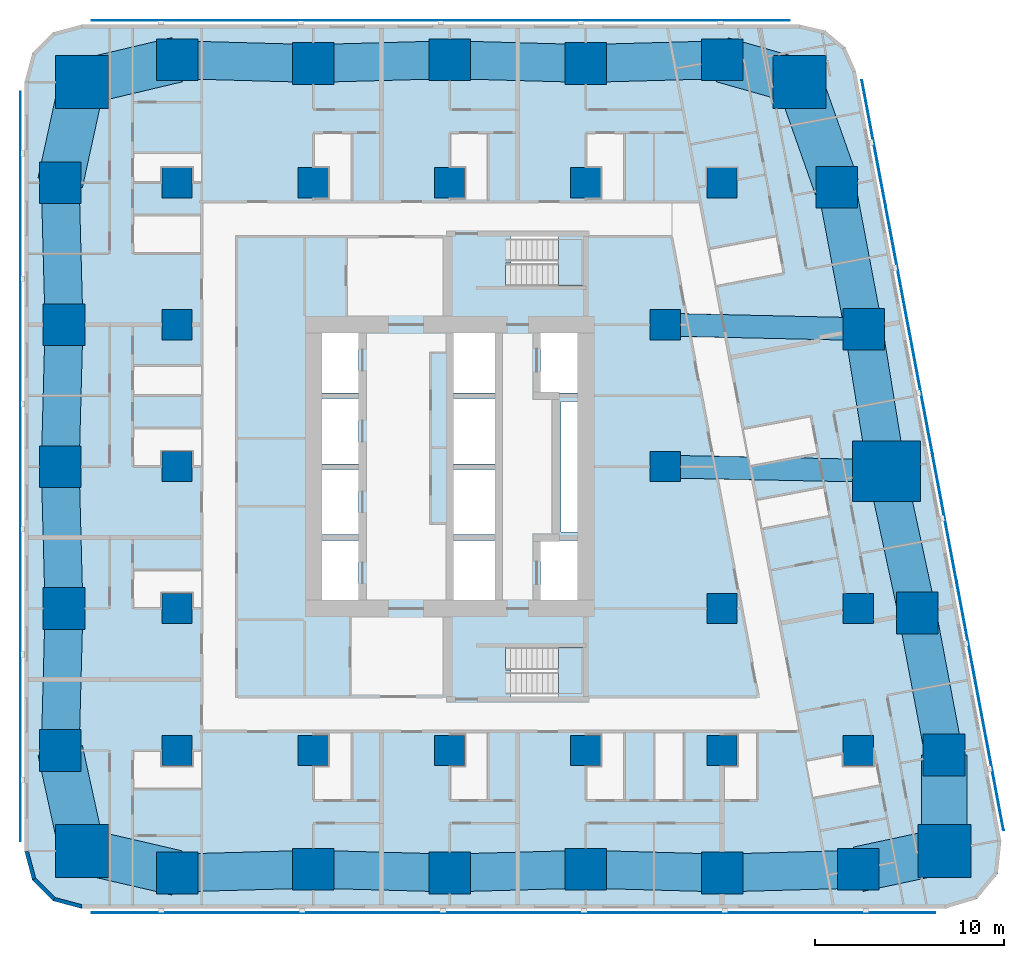
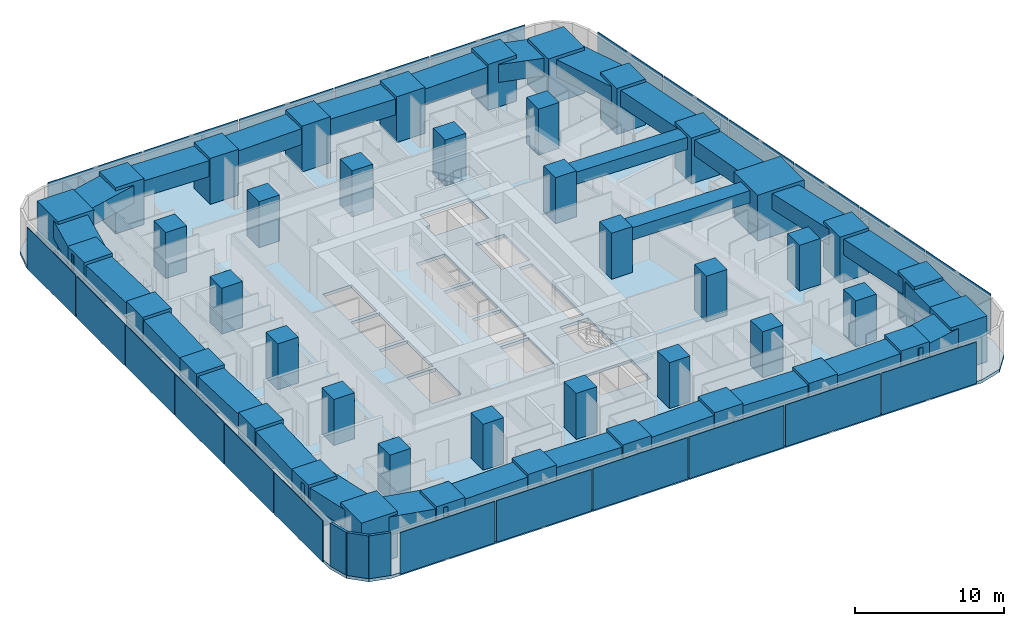
# One storey, part 1 of 16: 43 columns, 27 beams, 23 plates, 3 slabs, 3 walls, 2 elements without a shape of their own.
"""IFC4 building model written with IfcOpenShell, lengths in metres."""

import ifcopenshell
import ifcopenshell.guid

model = None  # the IFC model being written
_history = None  # IfcOwnerHistory: only IFC2X3 demands one
_inside = {}  # id of a spatial element -> (the spatial element, [elements in it])
_under = {}  # id of a project, library or spatial element -> (it, [spatial elements below it])
_declared = {}  # id of a project -> (the project, [libraries it declares])
_typed = {}  # id of a type object -> (the type object, [elements of that type])
_made_of = {}  # id of a material, layer set ... -> (it, [elements and type objects made of it])


def new_model(schema):
    """Start an empty IFC model of exactly this schema.

    Asked for "IFC4X3", IfcOpenShell would pick the latest addendum, in which some entities
    have other attributes; the version numbers below select the first issue.
    IFC2X3 requires an IfcOwnerHistory on every rooted entity: one is made here for all.
    """
    global model, _history
    if schema == "IFC4X3":
        model = ifcopenshell.file(schema_version=(4, 3, 0, 0))
    else:
        model = ifcopenshell.file(schema=schema)
    _inside.clear()
    _under.clear()
    _declared.clear()
    _typed.clear()
    _made_of.clear()
    _history = None
    if model.schema == "IFC2X3":
        org = make("IfcOrganization", Name="unknown")
        user = make(
            "IfcPersonAndOrganization",
            ThePerson=make("IfcPerson", FamilyName="unknown"),
            TheOrganization=org,
        )
        app = make(
            "IfcApplication",
            ApplicationDeveloper=org,
            Version="unknown",
            ApplicationFullName="unknown",
            ApplicationIdentifier="unknown",
        )
        _history = make(
            "IfcOwnerHistory",
            OwningUser=user,
            OwningApplication=app,
            ChangeAction="ADDED",
            CreationDate=0,
        )
    return model


def make(cls, **values):
    """One entity of the class cls with the attributes given. An attribute that is None is left unset."""
    return model.create_entity(
        cls, **{name: value for name, value in values.items() if value is not None}
    )


def rooted(cls, **values):
    """An entity with a GlobalId (a new one), such as an element, a storey or a relation."""
    return make(cls, GlobalId=ifcopenshell.guid.new(), OwnerHistory=_history, **values)


def si_unit(unit_type, name, prefix=None):
    """IfcSIUnit, for example si_unit("LENGTHUNIT", "METRE", prefix="MILLI")."""
    return make("IfcSIUnit", UnitType=unit_type, Prefix=prefix, Name=name)


def assignment(units):
    """IfcUnitAssignment: the units of a project."""
    return None if units is None else make("IfcUnitAssignment", Units=units)


def point(xyz):
    """IfcCartesianPoint."""
    return None if xyz is None else make("IfcCartesianPoint", Coordinates=xyz)


def direction(xyz):
    """IfcDirection."""
    return None if xyz is None else make("IfcDirection", DirectionRatios=xyz)


def frame(location, z_axis=None, x_axis=None):
    """IfcAxis2Placement3D, a coordinate frame: its origin and axes. An axis left out is left unset."""
    return make(
        "IfcAxis2Placement3D",
        Location=point(location),
        Axis=direction(z_axis),
        RefDirection=direction(x_axis),
    )


def frame_2d(location, x_axis=None):
    """IfcAxis2Placement2D, a coordinate frame in the plane: its origin and x axis."""
    return make(
        "IfcAxis2Placement2D", Location=point(location), RefDirection=direction(x_axis)
    )


def origin():
    """The frame at (0, 0, 0) with its axes left unset."""
    return frame((0.0, 0.0, 0.0))


def origin_2d():
    """The frame at (0, 0) in the plane with its x axis left unset."""
    return frame_2d((0.0, 0.0))


def place(relative_to, where):
    """IfcLocalPlacement: puts the frame where relative to a parent placement (None: the world)."""
    return make(
        "IfcLocalPlacement", PlacementRelTo=relative_to, RelativePlacement=where
    )


def context(
    kind, dimensions, precision=None, world=None, true_north=None, identifier=None
):
    """IfcGeometricRepresentationContext, for example the 3D "Model" context."""
    return make(
        "IfcGeometricRepresentationContext",
        ContextIdentifier=identifier,
        ContextType=kind,
        CoordinateSpaceDimension=dimensions,
        Precision=precision,
        WorldCoordinateSystem=world,
        TrueNorth=true_north,
    )


def subcontext(parent, identifier, kind, view, scale=None):
    """IfcGeometricRepresentationSubContext, for example "Body" below "Model"."""
    return make(
        "IfcGeometricRepresentationSubContext",
        ContextIdentifier=identifier,
        ContextType=kind,
        ParentContext=parent,
        TargetScale=scale,
        TargetView=view,
    )


def project(units=None, contexts=None):
    """IfcProject with its units and contexts."""
    return rooted(
        "IfcProject",
        Name="project",
        RepresentationContexts=contexts,
        UnitsInContext=assignment(units),
    )


def spatial(cls, under=None, at=None, **own):
    """A site, building, storey or space (cls), placed at a placement, below another one or the project."""
    s = rooted(cls, ObjectPlacement=at, **own)
    if under is not None:
        _under.setdefault(under.id(), (under, []))[1].append(s)
    return s


def polyline(points):
    """IfcPolyline through the points."""
    return make("IfcPolyline", Points=[point(p) for p in points])


def profile(cls, at=None, kind="AREA", **sizes):
    """A parametric profile (cls). Its sizes go by their IFC names, for example OverallWidth=200.0."""
    return make(cls, ProfileType=kind, Position=at, **sizes)


def rectangle(**sizes):
    """IfcRectangleProfileDef."""
    return profile("IfcRectangleProfileDef", **sizes)


def outline(outer, holes=None, kind="AREA"):
    """IfcArbitraryClosedProfileDef: a profile drawn as a closed curve; with holes, ...WithVoids."""
    if holes is None:
        return make("IfcArbitraryClosedProfileDef", ProfileType=kind, OuterCurve=outer)
    return make(
        "IfcArbitraryProfileDefWithVoids",
        ProfileType=kind,
        OuterCurve=outer,
        InnerCurves=holes,
    )


def extrude(swept, where, along, depth):
    """IfcExtrudedAreaSolid: the profile swept, set in the frame where, extruded along a direction by depth."""
    return make(
        "IfcExtrudedAreaSolid",
        SweptArea=swept,
        Position=where,
        ExtrudedDirection=direction(along),
        Depth=depth,
    )


def shape(context_of_items, identifier, shape_type, items):
    """IfcShapeRepresentation: the items that make up one representation, for example the "Body"."""
    return make(
        "IfcShapeRepresentation",
        ContextOfItems=context_of_items,
        RepresentationIdentifier=identifier,
        RepresentationType=shape_type,
        Items=items,
    )


def material(Name=None, Category=None):
    """IfcMaterial."""
    return make("IfcMaterial", Name=Name, Category=Category)


def layer(
    of_material, thickness, ventilated=None, Name=None, Category=None, Priority=None
):
    """IfcMaterialLayer: one layer of a wall or slab, of a material (None: an air gap)."""
    return make(
        "IfcMaterialLayer",
        Material=of_material,
        LayerThickness=thickness,
        IsVentilated=ventilated,
        Name=Name,
        Category=Category,
        Priority=Priority,
    )


def layer_set(layers, Name=None):
    """IfcMaterialLayerSet."""
    return make("IfcMaterialLayerSet", MaterialLayers=layers, LayerSetName=Name)


def material_profile(
    of_material, cross_section, Name=None, Category=None, Priority=None
):
    """IfcMaterialProfile: a cross section and its material."""
    return make(
        "IfcMaterialProfile",
        Name=Name,
        Material=of_material,
        Profile=cross_section,
        Priority=Priority,
        Category=Category,
    )


def profile_set(profiles, Name=None, composite=None):
    """IfcMaterialProfileSet."""
    return make(
        "IfcMaterialProfileSet",
        Name=Name,
        MaterialProfiles=profiles,
        CompositeProfile=composite,
    )


def made_of(thing, what):
    """Note that an element or type object is made of a material, layer set ...; save() writes the relation."""
    if what is not None:
        _made_of.setdefault(what.id(), (what, []))[1].append(thing)
    return thing


def type_object(cls, material=None, **own):
    """A type object (cls), such as IfcWallType, which elements share."""
    return made_of(rooted(cls, **own), material)


def element(
    cls,
    number,
    at=None,
    inside=None,
    cuts=None,
    type_object=None,
    material=None,
    context=None,
    identifier="Body",
    shape_type=None,
    held_by="IfcProductDefinitionShape",
    body=None,
    shapes=None,
    **own,
):
    """One element of the class cls, such as IfcWall. Its Tag is "e" and its number.

    at: its placement. inside: the storey or other place that contains it. cuts: it is an
    opening in that element (IfcRelVoidsElement). A single representation is given by context,
    identifier, shape_type and body (its items); several are given by shapes. held_by: the class
    of the entity that holds the representations. save() writes the other relations.
    """
    e = rooted(cls, Tag="e%d" % number, ObjectPlacement=at, **own)
    if body is not None:
        shapes = [shape(context, identifier, shape_type, body)]
    if shapes is not None:
        e.Representation = make(held_by, Representations=shapes)
    if inside is not None:
        _inside.setdefault(inside.id(), (inside, []))[1].append(e)
    if cuts is not None:
        rooted(
            "IfcRelVoidsElement", RelatingBuildingElement=cuts, RelatedOpeningElement=e
        )
    if type_object is not None:
        _typed.setdefault(type_object.id(), (type_object, []))[1].append(e)
    return made_of(e, material)


def aggregate(whole, parts):
    """IfcRelAggregates: a whole, such as a stair, and the parts it consists of."""
    return rooted("IfcRelAggregates", RelatingObject=whole, RelatedObjects=parts)


def save(model, path):
    """Write the relations noted so far, then the file.

    IfcRelAggregates (storeys below a building ...), IfcRelContainedInSpatialStructure (elements
    in a storey), IfcRelDefinesByType, IfcRelAssociatesMaterial and IfcRelDeclares: one each for
    every whole, place, type object, material and project.
    """
    for whole, parts in _under.values():
        aggregate(whole, parts)
    for where, things in _inside.values():
        rooted(
            "IfcRelContainedInSpatialStructure",
            RelatedElements=things,
            RelatingStructure=where,
        )
    for kind, things in _typed.values():
        rooted("IfcRelDefinesByType", RelatedObjects=things, RelatingType=kind)
    for what, things in _made_of.values():
        rooted("IfcRelAssociatesMaterial", RelatedObjects=things, RelatingMaterial=what)
    for by, libraries in _declared.values():
        rooted("IfcRelDeclares", RelatingContext=by, RelatedDefinitions=libraries)
    model.write(path)


model = new_model("IFC4")

# Units and contexts
model_context = context("Model", 3, precision=1e-05, world=origin(), true_north=direction((0.0, 1.0)))
body_context = subcontext(model_context, "Body", "Model", "MODEL_VIEW")
ifc_project = project(units=[si_unit("LENGTHUNIT", "METRE"), si_unit("AREAUNIT", "SQUARE_METRE"), si_unit("VOLUMEUNIT", "CUBIC_METRE"), si_unit("PLANEANGLEUNIT", "RADIAN"), si_unit("MASSUNIT", "GRAM", prefix="KILO")], contexts=[model_context])

# Site, building, storey
site_placement = place(None, origin())
site = spatial("IfcSite", under=ifc_project, at=site_placement, CompositionType="ELEMENT")
building_placement = place(site_placement, origin())
building = spatial("IfcBuilding", under=site, at=building_placement, Name="Sheger Commons Tower", CompositionType="ELEMENT")
storey_placement = place(building_placement, frame((0.0, 0.0, 96.64990234375)))
storey = spatial("IfcBuildingStorey", under=building, at=storey_placement, Name="L24", CompositionType="ELEMENT", Elevation=96.64990234375)

# Columns
ifc_material_1 = material(Name="Concrete C50/60", Category="concrete")
ifc_material_profile_1 = material_profile(ifc_material_1, rectangle(XDim=3.60009765625, YDim=3.199951171875, at=origin_2d()), Name="RC 3600x3200")
ifc_profile_set_1 = profile_set([ifc_material_profile_1], Name="Concrete C50/60")
column_type_1 = type_object("IfcColumnType", Name="COLUMN PIER RC 3600x3200", PredefinedType="COLUMN", material=ifc_profile_set_1)
column_placement = place(storey_placement, frame((44.697021484375, 22.262939453125, 0.0), z_axis=(0.0, 0.0, 1.0), x_axis=(1.0, 0.0, 0.0)))
element("IfcColumn", 1, at=column_placement, inside=storey, type_object=column_type_1, Name="Pier 7/D+E/D L24", PredefinedType="COLUMN", context=body_context, shape_type="SweptSolid", body=[
    extrude(rectangle(XDim=3.60009765625, YDim=3.199951171875, at=origin_2d()), origin(), (0.0, 0.0, 1.0), 3.75),
])
ifc_material_2 = material(Name="Concrete C50/60", Category="concrete")
ifc_material_profile_2 = material_profile(ifc_material_2, rectangle(XDim=1.60009765625, YDim=1.60009765625, at=origin_2d()), Name="RC 1600x1600")
ifc_profile_set_2 = profile_set([ifc_material_profile_2], Name="Concrete C50/60")
column_type_2 = type_object("IfcColumnType", Name="COLUMN RC 1600x1600", PredefinedType="COLUMN", material=ifc_profile_set_2)
for number, where, z_axis, x_axis, name in (
    (2, (7.199951171875, 7.5, 0.0), (0.0, 0.0, 1.0), (1.0, 0.0, 0.0), "Column 2/B L24"),
    (3, (14.39990234375, 7.5, 0.0), (0.0, 0.0, 1.0), (1.0, 0.0, 0.0), "Column 3/B L24"),
    (4, (21.60009765625, 7.5, 0.0), (0.0, 0.0, 1.0), (1.0, 0.0, 0.0), "Column 4/B L24"),
    (5, (28.800048828125, 7.5, 0.0), (0.0, 0.0, 1.0), (1.0, 0.0, 0.0), "Column 5/B L24"),
    (6, (36.0, 7.5, 0.0), (0.0, 0.0, 1.0), (1.0, 0.0, 0.0), "Column 6/B L24"),
    (7, (43.199951171875, 7.5, 0.0), (0.0, 0.0, 1.0), (1.0, 0.0, 0.0), "Column 7/B L24"),
    (8, (7.199951171875, 15.0, 0.0), (0.0, 0.0, 1.0), (1.0, 0.0, 0.0), "Column 2/C L24"),
    (9, (36.0, 15.0, 0.0), (0.0, 0.0, 1.0), (1.0, 0.0, 0.0), "Column 6/C L24"),
    (10, (43.199951171875, 15.0, 0.0), (0.0, 0.0, 1.0), (1.0, 0.0, 0.0), "Column 7/C L24"),
    (11, (7.199951171875, 22.5, 0.0), (0.0, 0.0, 1.0), (1.0, 0.0, 0.0), "Column 2/D L24"),
    (12, (33.0, 22.5, 0.0), (0.0, 0.0, 1.0), (1.0, 0.0, 0.0), "Column 6-3000/D L24"),
    (13, (7.199951171875, 30.0, 0.0), (0.0, 0.0, 1.0), (1.0, 0.0, 0.0), "Column 2/E L24"),
    (14, (33.0, 30.0, 0.0), (0.0, 0.0, 1.0), (1.0, 0.0, 0.0), "Column 6-3000/E L24"),
    (15, (7.199951171875, 37.5, 0.0), (0.0, 0.0, 1.0), (1.0, 0.0, 0.0), "Column 2/F L24"),
    (16, (14.39990234375, 37.5, 0.0), (0.0, 0.0, 1.0), (1.0, 0.0, 0.0), "Column 3/F L24"),
    (17, (21.60009765625, 37.5, 0.0), (0.0, 0.0, 1.0), (1.0, 0.0, 0.0), "Column 4/F L24"),
    (18, (28.800048828125, 37.5, 0.0), (0.0, 0.0, 1.0), (1.0, 0.0, 0.0), "Column 5/F L24"),
    (19, (36.0, 37.5, 0.0), (0.0, 0.0, 1.0), (1.0, 0.0, 0.0), "Column 6/F L24"),
):
    element("IfcColumn", number, at=place(storey_placement, frame(where, z_axis=z_axis, x_axis=x_axis)), inside=storey, type_object=column_type_2, Name=name, PredefinedType="COLUMN", context=body_context, shape_type="SweptSolid", body=[
        extrude(rectangle(XDim=1.60009765625, YDim=1.60009765625, at=origin_2d()), origin(), (0.0, 0.0, 1.0), 3.75),
    ])
ifc_material_3 = material(Name="Concrete C50/60", Category="concrete")
ifc_material_profile_3 = material_profile(ifc_material_3, rectangle(XDim=2.199951171875, YDim=2.199951171875, at=origin_2d()), Name="RC 2200x2200")
ifc_profile_set_3 = profile_set([ifc_material_profile_3], Name="Concrete C50/60")
column_type_3 = type_object("IfcColumnType", Name="COLUMN RC 2200x2200", PredefinedType="COLUMN", material=ifc_profile_set_3)
for number, where, z_axis, x_axis, name in (
    (20, (7.199951171875, 1.02490234375, 0.0), (0.0, 0.0, 1.0), (1.0, 0.0, 0.0), "Column 2/A L24"),
    (21, (14.39990234375, 1.22509765625, 0.0), (0.0, 0.0, 1.0), (1.0, 0.0, 0.0), "Column 3/A L24"),
    (22, (21.60009765625, 1.02490234375, 0.0), (0.0, 0.0, 1.0), (1.0, 0.0, 0.0), "Column 4/A L24"),
    (23, (28.800048828125, 1.22509765625, 0.0), (0.0, 0.0, 1.0), (1.0, 0.0, 0.0), "Column 5/A L24"),
    (24, (36.0, 1.02490234375, 0.0), (0.0, 0.0, 1.0), (1.0, 0.0, 0.0), "Column 6/A L24"),
    (25, (43.199951171875, 1.22509765625, 0.0), (0.0, 0.0, 1.0), (1.0, 0.0, 0.0), "Column 7/A L24"),
    (26, (1.02490234375, 7.5, 0.0), (0.0, 0.0, 1.0), (1.0, 0.0, 0.0), "Column 1/B L24"),
    (27, (47.72998046875, 7.262939453125, 0.0), (0.0, 0.0, 1.0), (1.0, 0.0, 0.0), "Column E/B L24"),
    (28, (1.22509765625, 15.0, 0.0), (0.0, 0.0, 1.0), (1.0, 0.0, 0.0), "Column 1/C L24"),
    (29, (46.31396484375, 14.762939453125, 0.0), (0.0, 0.0, 1.0), (1.0, 0.0, 0.0), "Column E/C L24"),
    (30, (1.02490234375, 22.5, 0.0), (0.0, 0.0, 1.0), (1.0, 0.0, 0.0), "Column 1/D L24"),
    (31, (1.22509765625, 30.0, 0.0), (0.0, 0.0, 1.0), (1.0, 0.0, 0.0), "Column 1/E L24"),
    (32, (43.47998046875, 29.762939453125, 0.0), (0.0, 0.0, 1.0), (1.0, 0.0, 0.0), "Column E/E L24"),
    (33, (1.02490234375, 37.5, 0.0), (0.0, 0.0, 1.0), (1.0, 0.0, 0.0), "Column 1/F L24"),
    (34, (42.06396484375, 37.262939453125, 0.0), (0.0, 0.0, 1.0), (1.0, 0.0, 0.0), "Column E/F L24"),
    (35, (7.199951171875, 44.0, 0.0), (0.0, 0.0, 1.0), (1.0, 0.0, 0.0), "Column 2/G L24"),
    (36, (14.39990234375, 43.800048828125, 0.0), (0.0, 0.0, 1.0), (1.0, 0.0, 0.0), "Column 3/G L24"),
    (37, (21.60009765625, 44.0, 0.0), (0.0, 0.0, 1.0), (1.0, 0.0, 0.0), "Column 4/G L24"),
    (38, (28.800048828125, 43.800048828125, 0.0), (0.0, 0.0, 1.0), (1.0, 0.0, 0.0), "Column 5/G L24"),
    (39, (36.0, 44.0, 0.0), (0.0, 0.0, 1.0), (1.0, 0.0, 0.0), "Column 6/G L24"),
):
    element("IfcColumn", number, at=place(storey_placement, frame(where, z_axis=z_axis, x_axis=x_axis)), inside=storey, type_object=column_type_3, Name=name, PredefinedType="COLUMN", context=body_context, shape_type="SweptSolid", body=[
        extrude(rectangle(XDim=2.199951171875, YDim=2.199951171875, at=origin_2d()), origin(), (0.0, 0.0, 1.0), 3.75),
    ])
ifc_material_4 = material(Name="Concrete C50/60", Category="concrete")
ifc_material_profile_4 = material_profile(ifc_material_4, rectangle(XDim=2.800048828125, YDim=2.800048828125, at=origin_2d()), Name="RC 2800x2800")
ifc_profile_set_4 = profile_set([ifc_material_profile_4], Name="Concrete C50/60")
column_type_4 = type_object("IfcColumnType", Name="COLUMN RC 2800x2800", PredefinedType="COLUMN", material=ifc_profile_set_4)
for number, where, z_axis, x_axis, name in (
    (40, (2.18603515625, 2.18603515625, 0.0), (0.0, 0.0, 1.0), (1.0, 0.0, 0.0), "Column 0.630,0.630 L24"),
    (41, (47.748046875, 2.197021484375, 0.0), (0.0, 0.0, 1.0), (1.0, 0.0, 0.0), "Column 49.461,0.778 L24"),
    (42, (2.18603515625, 42.81396484375, 0.0), (0.0, 0.0, 1.0), (1.0, 0.0, 0.0), "Column 0.630,44.370 L24"),
    (43, (40.10205078125, 42.830078125, 0.0), (0.0, 0.0, 1.0), (1.0, 0.0, 0.0), "Column 41.490,44.505 L24"),
):
    element("IfcColumn", number, at=place(storey_placement, frame(where, z_axis=z_axis, x_axis=x_axis)), inside=storey, type_object=column_type_4, Name=name, PredefinedType="COLUMN", context=body_context, shape_type="SweptSolid", body=[
        extrude(rectangle(XDim=2.800048828125, YDim=2.800048828125, at=origin_2d()), origin(), (0.0, 0.0, 1.0), 3.75),
    ])

# Beams
ifc_material_5 = material(Name="Concrete C50/60", Category="concrete")
ifc_material_profile_5 = material_profile(ifc_material_5, rectangle(XDim=1.199951171875, YDim=1.0, at=origin_2d()), Name="RC 1200x1000")
ifc_profile_set_5 = profile_set([ifc_material_profile_5], Name="Concrete C50/60")
beam_type_1 = type_object("IfcBeamType", Name="BEAM RC 1200x1000", PredefinedType="BEAM", material=ifc_profile_set_5)
beam_1_placement = place(storey_placement, frame((33.0, 22.5, 3.0), z_axis=(0.999794692776, -0.02026258368, 0.0), x_axis=(0.02026258368, 0.999794692776, 0.0)))
element("IfcBeam", 44, at=beam_1_placement, inside=storey, type_object=beam_type_1, Name="Beam 6-3000/D-7/D under L25", PredefinedType="BEAM", context=body_context, shape_type="SweptSolid", body=[
    extrude(rectangle(XDim=1.199951171875, YDim=1.0, at=origin_2d()), origin(), (0.0, 0.0, 1.0), 11.699462890625),
])
beam_2_placement = place(storey_placement, frame((33.0, 30.0, 3.0), z_axis=(0.999744258625, -0.022614538395, 0.0), x_axis=(0.022614538395, 0.999744258625, 0.0)))
element("IfcBeam", 45, at=beam_2_placement, inside=storey, type_object=beam_type_1, Name="Beam 6-3000/E-E/E under L25", PredefinedType="BEAM", context=body_context, shape_type="SweptSolid", body=[
    extrude(rectangle(XDim=1.199951171875, YDim=1.0, at=origin_2d()), origin(), (0.0, 0.0, 1.0), 10.482666015625),
])
ifc_material_6 = material(Name="Concrete C50/60", Category="concrete")
ifc_material_profile_6 = material_profile(ifc_material_6, rectangle(XDim=2.0, YDim=1.300048828125, at=origin_2d()), Name="RC 2000x1300")
ifc_profile_set_6 = profile_set([ifc_material_profile_6], Name="Concrete C50/60")
beam_type_2 = type_object("IfcBeamType", Name="SPANDREL RC 2000x1300", PredefinedType="SPANDREL", material=ifc_profile_set_6)
beam_3_placement = place(storey_placement, frame((7.199951171875, 1.02490234375, 2.85009765625), z_axis=(0.9996136624, 0.027794350926, 0.0), x_axis=(-0.027794350926, 0.9996136624, 0.0)))
element("IfcBeam", 46, at=beam_3_placement, inside=storey, type_object=beam_type_2, Name="Beam 2/A-3/A under L25", PredefinedType="SPANDREL", context=body_context, shape_type="SweptSolid", body=[
    extrude(rectangle(XDim=2.0, YDim=1.300048828125, at=origin_2d()), origin(), (0.0, 0.0, 1.0), 7.20263671875),
])
beam_4_placement = place(storey_placement, frame((14.39990234375, 1.22509765625, 2.85009765625), z_axis=(0.999613688584, -0.027793409217, 0.0), x_axis=(0.027793409217, 0.999613688584, 0.0)))
element("IfcBeam", 47, at=beam_4_placement, inside=storey, type_object=beam_type_2, Name="Beam 3/A-4/A under L25", PredefinedType="SPANDREL", context=body_context, shape_type="SweptSolid", body=[
    extrude(rectangle(XDim=2.0, YDim=1.300048828125, at=origin_2d()), origin(), (0.0, 0.0, 1.0), 7.202880859375),
])
for number, where, z_axis, x_axis, name in (
    (48, (21.60009765625, 1.02490234375, 2.85009765625), (0.9996136624, 0.027794350926, 0.0), (-0.027794350926, 0.9996136624, 0.0), "Beam 4/A-5/A under L25"),
    (49, (28.800048828125, 1.22509765625, 2.85009765625), (0.9996136624, -0.027794350926, 0.0), (0.027794350926, 0.9996136624, 0.0), "Beam 5/A-6/A under L25"),
    (50, (36.0, 1.02490234375, 2.85009765625), (0.9996136624, 0.027794350926, 0.0), (-0.027794350926, 0.9996136624, 0.0), "Beam 6/A-7/A under L25"),
):
    element("IfcBeam", number, at=place(storey_placement, frame(where, z_axis=z_axis, x_axis=x_axis)), inside=storey, type_object=beam_type_2, Name=name, PredefinedType="SPANDREL", context=body_context, shape_type="SweptSolid", body=[
        extrude(rectangle(XDim=2.0, YDim=1.300048828125, at=origin_2d()), origin(), (0.0, 0.0, 1.0), 7.20263671875),
    ])
beam_5_placement = place(storey_placement, frame((47.72998046875, 7.262939453125, 2.85009765625), z_axis=(-0.18552441405, 0.982639655108, 0.0), x_axis=(-0.982639655108, -0.18552441405, 0.0)))
element("IfcBeam", 51, at=beam_5_placement, inside=storey, type_object=beam_type_2, Name="Beam E/B-E/C under L25", PredefinedType="SPANDREL", context=body_context, shape_type="SweptSolid", body=[
    extrude(rectangle(XDim=2.0, YDim=1.300048828125, at=origin_2d()), origin(), (0.0, 0.0, 1.0), 7.632568359375),
])
beam_6_placement = place(storey_placement, frame((46.31396484375, 14.762939453125, 2.85009765625), z_axis=(-0.210750229323, 0.977539943348, 0.0), x_axis=(-0.977539943348, -0.210750229323, 0.0)))
element("IfcBeam", 52, at=beam_6_placement, inside=storey, type_object=beam_type_2, Name="Beam E/C-E/D under L25", PredefinedType="SPANDREL", context=body_context, shape_type="SweptSolid", body=[
    extrude(rectangle(XDim=2.0, YDim=1.300048828125, at=origin_2d()), origin(), (0.0, 0.0, 1.0), 7.67236328125),
])
beam_7_placement = place(storey_placement, frame((44.697021484375, 22.262939453125, 2.85009765625), z_axis=(-0.160176929512, 0.987088319884, 0.0), x_axis=(-0.987088319884, -0.160176929512, 0.0)))
element("IfcBeam", 53, at=beam_7_placement, inside=storey, type_object=beam_type_2, Name="Beam E/D-E/E under L25", PredefinedType="SPANDREL", context=body_context, shape_type="SweptSolid", body=[
    extrude(rectangle(XDim=2.0, YDim=1.300048828125, at=origin_2d()), origin(), (0.0, 0.0, 1.0), 7.59814453125),
])
beam_8_placement = place(storey_placement, frame((43.47998046875, 29.762939453125, 2.85009765625), z_axis=(-0.18552441405, 0.982639655108, 0.0), x_axis=(-0.982639655108, -0.18552441405, 0.0)))
element("IfcBeam", 54, at=beam_8_placement, inside=storey, type_object=beam_type_2, Name="Beam E/E-E/F under L25", PredefinedType="SPANDREL", context=body_context, shape_type="SweptSolid", body=[
    extrude(rectangle(XDim=2.0, YDim=1.300048828125, at=origin_2d()), origin(), (0.0, 0.0, 1.0), 7.632568359375),
])
for number, where, z_axis, x_axis, name in (
    (55, (36.0, 44.0, 2.85009765625), (-0.999614603568, -0.027760481514, 0.0), (0.027760481514, -0.999614603568, 0.0), "Beam 6/G-5/G under L25"),
    (56, (28.800048828125, 43.800048828125, 2.85009765625), (-0.999614603568, 0.027760481514, 0.0), (-0.027760481514, -0.999614603568, 0.0), "Beam 5/G-4/G under L25"),
):
    element("IfcBeam", number, at=place(storey_placement, frame(where, z_axis=z_axis, x_axis=x_axis)), inside=storey, type_object=beam_type_2, Name=name, PredefinedType="SPANDREL", context=body_context, shape_type="SweptSolid", body=[
        extrude(rectangle(XDim=2.0, YDim=1.300048828125, at=origin_2d()), origin(), (0.0, 0.0, 1.0), 7.20263671875),
    ])
beam_9_placement = place(storey_placement, frame((21.60009765625, 44.0, 2.85009765625), z_axis=(-0.999614629688, -0.027759540951, 0.0), x_axis=(0.027759540951, -0.999614629688, 0.0)))
element("IfcBeam", 57, at=beam_9_placement, inside=storey, type_object=beam_type_2, Name="Beam 4/G-3/G under L25", PredefinedType="SPANDREL", context=body_context, shape_type="SweptSolid", body=[
    extrude(rectangle(XDim=2.0, YDim=1.300048828125, at=origin_2d()), origin(), (0.0, 0.0, 1.0), 7.202880859375),
])
beam_10_placement = place(storey_placement, frame((14.39990234375, 43.800048828125, 2.85009765625), z_axis=(-0.999614603568, 0.027760481514, 0.0), x_axis=(-0.027760481514, -0.999614603568, 0.0)))
element("IfcBeam", 58, at=beam_10_placement, inside=storey, type_object=beam_type_2, Name="Beam 3/G-2/G under L25", PredefinedType="SPANDREL", context=body_context, shape_type="SweptSolid", body=[
    extrude(rectangle(XDim=2.0, YDim=1.300048828125, at=origin_2d()), origin(), (0.0, 0.0, 1.0), 7.20263671875),
])
for number, where, z_axis, x_axis, name in (
    (59, (1.02490234375, 37.5, 2.85009765625), (0.026683204125, -0.999643939919, 0.0), (0.999643939919, 0.026683204125, 0.0), "Beam 1/F-1/E under L25"),
    (60, (1.22509765625, 30.0, 2.85009765625), (-0.026683204125, -0.999643939919, 0.0), (0.999643939919, -0.026683204125, 0.0), "Beam 1/E-1/D under L25"),
    (61, (1.02490234375, 22.5, 2.85009765625), (0.026683204125, -0.999643939919, 0.0), (0.999643939919, 0.026683204125, 0.0), "Beam 1/D-1/C under L25"),
    (62, (1.22509765625, 15.0, 2.85009765625), (-0.026683204125, -0.999643939919, 0.0), (0.999643939919, -0.026683204125, 0.0), "Beam 1/C-1/B under L25"),
):
    element("IfcBeam", number, at=place(storey_placement, frame(where, z_axis=z_axis, x_axis=x_axis)), inside=storey, type_object=beam_type_2, Name=name, PredefinedType="SPANDREL", context=body_context, shape_type="SweptSolid", body=[
        extrude(rectangle(XDim=2.0, YDim=1.300048828125, at=origin_2d()), origin(), (0.0, 0.0, 1.0), 7.502685546875),
    ])
ifc_material_7 = material(Name="Concrete C50/60", Category="concrete")
ifc_material_profile_7 = material_profile(ifc_material_7, rectangle(XDim=2.39990234375, YDim=1.449951171875, at=origin_2d()), Name="RC 2400x1450")
ifc_profile_set_7 = profile_set([ifc_material_profile_7], Name="Concrete C50/60")
beam_type_3 = type_object("IfcBeamType", Name="SPANDREL RC 2400x1450", PredefinedType="SPANDREL", material=ifc_profile_set_7)
beam_11_placement = place(storey_placement, frame((2.18603515625, 2.18603515625, 2.775146484375), z_axis=(0.974217413499, -0.225611239159, 0.0), x_axis=(0.225611239159, 0.974217413499, 0.0)))
element("IfcBeam", 63, at=beam_11_placement, inside=storey, type_object=beam_type_3, Name="Beam 0.630,0.630-2/A under L25", PredefinedType="SPANDREL", context=body_context, shape_type="SweptSolid", body=[
    extrude(rectangle(XDim=2.39990234375, YDim=1.449951171875, at=origin_2d()), origin(), (0.0, 0.0, 1.0), 5.146728515625),
])
beam_12_placement = place(storey_placement, frame((43.199951171875, 1.22509765625, 2.775146484375), z_axis=(0.977919796671, 0.208980552394, 0.0), x_axis=(-0.208980552394, 0.977919796671, 0.0)))
element("IfcBeam", 64, at=beam_12_placement, inside=storey, type_object=beam_type_3, Name="Beam 7/A-49.461,0.778 under L25", PredefinedType="SPANDREL", context=body_context, shape_type="SweptSolid", body=[
    extrude(rectangle(XDim=2.39990234375, YDim=1.449951171875, at=origin_2d()), origin(), (0.0, 0.0, 1.0), 4.65087890625),
])
beam_13_placement = place(storey_placement, frame((47.748046875, 2.197021484375, 2.775146484375), z_axis=(-0.003566242382, 0.999993640937, 0.0), x_axis=(-0.999993640937, -0.003566242382, 0.0)))
element("IfcBeam", 65, at=beam_13_placement, inside=storey, type_object=beam_type_3, Name="Beam 49.461,0.778-E/B under L25", PredefinedType="SPANDREL", context=body_context, shape_type="SweptSolid", body=[
    extrude(rectangle(XDim=2.39990234375, YDim=1.449951171875, at=origin_2d()), origin(), (0.0, 0.0, 1.0), 5.06591796875),
])
beam_14_placement = place(storey_placement, frame((42.06396484375, 37.262939453125, 2.775146484375), z_axis=(-0.332374403357, 0.943147526102, 0.0), x_axis=(-0.943147526102, -0.332374403357, 0.0)))
element("IfcBeam", 66, at=beam_14_placement, inside=storey, type_object=beam_type_3, Name="Beam E/F-41.490,44.505 under L25", PredefinedType="SPANDREL", context=body_context, shape_type="SweptSolid", body=[
    extrude(rectangle(XDim=2.39990234375, YDim=1.449951171875, at=origin_2d()), origin(), (0.0, 0.0, 1.0), 5.90283203125),
])
beam_15_placement = place(storey_placement, frame((40.10205078125, 42.830078125, 2.775146484375), z_axis=(-0.961653428129, 0.274267541221, 0.0), x_axis=(-0.274267541221, -0.961653428129, 0.0)))
element("IfcBeam", 67, at=beam_15_placement, inside=storey, type_object=beam_type_3, Name="Beam 41.490,44.505-6/G under L25", PredefinedType="SPANDREL", context=body_context, shape_type="SweptSolid", body=[
    extrude(rectangle(XDim=2.39990234375, YDim=1.449951171875, at=origin_2d()), origin(), (0.0, 0.0, 1.0), 4.265625),
])
beam_16_placement = place(storey_placement, frame((7.199951171875, 44.0, 2.775146484375), z_axis=(-0.97314428949, -0.230195985701, 0.0), x_axis=(0.230195985701, -0.97314428949, 0.0)))
element("IfcBeam", 68, at=beam_16_placement, inside=storey, type_object=beam_type_3, Name="Beam 2/G-0.630,44.370 under L25", PredefinedType="SPANDREL", context=body_context, shape_type="SweptSolid", body=[
    extrude(rectangle(XDim=2.39990234375, YDim=1.449951171875, at=origin_2d()), origin(), (0.0, 0.0, 1.0), 5.15234375),
])
for number, where, z_axis, x_axis, name in (
    (69, (2.18603515625, 42.81396484375, 2.775146484375), (-0.213469314652, -0.976949769283, 0.0), (0.976949769283, -0.213469314652, 0.0), "Beam 0.630,44.370-1/F under L25"),
    (70, (1.02490234375, 7.5, 2.775146484375), (0.213469314652, -0.976949769283, 0.0), (0.976949769283, 0.213469314652, 0.0), "Beam 1/B-0.630,0.630 under L25"),
):
    element("IfcBeam", number, at=place(storey_placement, frame(where, z_axis=z_axis, x_axis=x_axis)), inside=storey, type_object=beam_type_3, Name=name, PredefinedType="SPANDREL", context=body_context, shape_type="SweptSolid", body=[
        extrude(rectangle(XDim=2.39990234375, YDim=1.449951171875, at=origin_2d()), origin(), (0.0, 0.0, 1.0), 5.439453125),
    ])

# Slab
ifc_material_8 = material(Name="Concrete C35/45", Category="concrete")
ifc_layer_1 = layer(ifc_material_8, 0.25)
ifc_layer_set_1 = layer_set([ifc_layer_1], Name="SLAB FLOOR 250")
slab_type_1 = type_object("IfcSlabType", Name="SLAB FLOOR 250", PredefinedType="FLOOR", material=ifc_layer_set_1)
slab_1_placement = place(storey_placement, frame((0.0, 0.0, -0.25)))
element("IfcSlab", 71, at=slab_1_placement, inside=storey, type_object=slab_type_1, Name="L24 floor slab", PredefinedType="FLOOR", context=body_context, shape_type="SweptSolid", body=[
    extrude(outline(polyline([(-0.85009765625, 2.14990234375), (-0.447998046875, 0.64990234375), (0.64990234375, -0.447998046875), (2.14990234375, -0.85009765625), (47.805908203125, -0.85009765625), (49.465087890625, -0.35009765625), (50.570068359375, 0.98388671875), (50.75390625, 2.70703125), (43.06591796875, 43.406982421875), (42.509033203125, 44.660888671875), (41.452880859375, 45.535888671875), (40.117919921875, 45.85009765625), (2.14990234375, 45.85009765625), (0.64990234375, 45.447998046875), (-0.447998046875, 44.35009765625), (-0.85009765625, 42.85009765625), (-0.85009765625, 2.14990234375)]), holes=[polyline([(24.85009765625, 10.35009765625), (28.64990234375, 10.35009765625), (28.64990234375, 12.949951171875), (24.551025390625, 12.949951171875), (24.551025390625, 11.75), (24.85009765625, 11.75), (24.85009765625, 10.35009765625)]), polyline([(24.551025390625, 32.050048828125), (28.64990234375, 32.050048828125), (28.64990234375, 34.64990234375), (24.85009765625, 34.64990234375), (24.85009765625, 33.25), (24.551025390625, 33.25), (24.551025390625, 32.050048828125)]), polyline([(26.39990234375, 15.14990234375), (28.60009765625, 15.14990234375), (28.60009765625, 18.60009765625), (26.39990234375, 18.60009765625), (26.39990234375, 15.14990234375)]), polyline([(26.39990234375, 26.39990234375), (28.60009765625, 26.39990234375), (28.60009765625, 29.85009765625), (26.39990234375, 29.85009765625), (26.39990234375, 26.39990234375)]), polyline([(14.60009765625, 15.14990234375), (16.800048828125, 15.14990234375), (16.800048828125, 18.60009765625), (14.60009765625, 18.60009765625), (14.60009765625, 15.14990234375)]), polyline([(14.60009765625, 18.89990234375), (16.800048828125, 18.89990234375), (16.800048828125, 22.35009765625), (14.60009765625, 22.35009765625), (14.60009765625, 18.89990234375)]), polyline([(14.60009765625, 22.64990234375), (16.800048828125, 22.64990234375), (16.800048828125, 26.10009765625), (14.60009765625, 26.10009765625), (14.60009765625, 22.64990234375)]), polyline([(14.60009765625, 26.39990234375), (16.800048828125, 26.39990234375), (16.800048828125, 29.85009765625), (14.60009765625, 29.85009765625), (14.60009765625, 26.39990234375)]), polyline([(21.800048828125, 15.14990234375), (24.0, 15.14990234375), (24.0, 18.60009765625), (21.800048828125, 18.60009765625), (21.800048828125, 15.14990234375)]), polyline([(21.800048828125, 18.89990234375), (24.0, 18.89990234375), (24.0, 22.35009765625), (21.800048828125, 22.35009765625), (21.800048828125, 18.89990234375)]), polyline([(21.800048828125, 22.64990234375), (24.0, 22.64990234375), (24.0, 26.10009765625), (21.800048828125, 26.10009765625), (21.800048828125, 22.64990234375)]), polyline([(21.800048828125, 26.39990234375), (24.0, 26.39990234375), (24.0, 29.85009765625), (21.800048828125, 29.85009765625), (21.800048828125, 26.39990234375)]), polyline([(27.5, 19.050048828125), (28.5, 19.050048828125), (28.5, 25.949951171875), (27.5, 25.949951171875), (27.5, 19.050048828125)])]), origin(), (0.0, 0.0, 1.0), 0.25),
])

# Plates
ifc_material_9 = material(Name="Perforated black anodised aluminium screen", Category="aluminium")
ifc_layer_2 = layer(ifc_material_9, 0.050048828125)
ifc_layer_set_2 = layer_set([ifc_layer_2], Name="SOLAR SCREEN SCREEN-1")
plate_type = type_object("IfcPlateType", Name="SOLAR SCREEN SCREEN-1", PredefinedType="USERDEFINED", material=ifc_layer_set_2)
for number, where, z_axis, x_axis, name in (
    (72, (6.37109375, -1.074951171875, 0.050048828125), (0.0, 0.0, 1.0), (1.0, 0.0, 0.0), "Perforated solar screen panel"),
    (73, (13.81396484375, -1.074951171875, 0.050048828125), (0.0, 0.0, 1.0), (1.0, 0.0, 0.0), "Perforated solar screen panel"),
    (74, (21.257080078125, -1.074951171875, 0.050048828125), (0.0, 0.0, 1.0), (1.0, 0.0, 0.0), "Perforated solar screen panel"),
    (75, (28.698974609375, -1.074951171875, 0.050048828125), (0.0, 0.0, 1.0), (1.0, 0.0, 0.0), "Perforated solar screen panel"),
    (76, (36.14208984375, -1.074951171875, 0.050048828125), (0.0, 0.0, 1.0), (1.0, 0.0, 0.0), "Perforated solar screen panel"),
    (77, (43.5849609375, -1.074951171875, 0.050048828125), (0.0, 0.0, 1.0), (1.0, 0.0, 0.0), "Perforated solar screen panel"),
):
    element("IfcPlate", number, at=place(storey_placement, frame(where, z_axis=z_axis, x_axis=x_axis)), inside=storey, type_object=plate_type, Name=name, ObjectType="SCREEN", PredefinedType="USERDEFINED", context=body_context, shape_type="SweptSolid", body=[
        extrude(rectangle(XDim=7.343017578125, YDim=0.050048828125, at=origin_2d()), origin(), (0.0, 0.0, 1.0), 3.39990234375),
    ])
for number, where, z_axis, x_axis, name in (
    (78, (50.257080078125, 6.550048828125, 0.050048828125), (0.0, 0.0, 1.0), (-0.185615165645, 0.982622516678, 0.0), "Perforated solar screen panel"),
    (79, (49.007080078125, 13.1689453125, 0.050048828125), (0.0, 0.0, 1.0), (-0.185615165645, 0.982622516678, 0.0), "Perforated solar screen panel"),
    (80, (47.756103515625, 19.7890625, 0.050048828125), (0.0, 0.0, 1.0), (-0.185615165645, 0.982622516678, 0.0), "Perforated solar screen panel"),
    (81, (46.506103515625, 26.408935546875, 0.050048828125), (0.0, 0.0, 1.0), (-0.185615165645, 0.982622516678, 0.0), "Perforated solar screen panel"),
    (82, (45.2548828125, 33.028076171875, 0.050048828125), (0.0, 0.0, 1.0), (-0.185615165645, 0.982622516678, 0.0), "Perforated solar screen panel"),
    (83, (44.0048828125, 39.64794921875, 0.050048828125), (0.0, 0.0, 1.0), (-0.185615165645, 0.982622516678, 0.0), "Perforated solar screen panel"),
):
    element("IfcPlate", number, at=place(storey_placement, frame(where, z_axis=z_axis, x_axis=x_axis)), inside=storey, type_object=plate_type, Name=name, ObjectType="SCREEN", PredefinedType="USERDEFINED", context=body_context, shape_type="SweptSolid", body=[
        extrude(rectangle(XDim=6.636962890625, YDim=0.050048828125, at=origin_2d()), origin(), (0.0, 0.0, 1.0), 3.39990234375),
    ])
for number, where, z_axis, x_axis, name in (
    (84, (35.9208984375, 46.074951171875, 0.050048828125), (0.0, 0.0, 1.0), (-1.0, 0.0, 0.0), "Perforated solar screen panel"),
    (85, (28.528076171875, 46.074951171875, 0.050048828125), (0.0, 0.0, 1.0), (-1.0, 0.0, 0.0), "Perforated solar screen panel"),
    (86, (21.134033203125, 46.074951171875, 0.050048828125), (0.0, 0.0, 1.0), (-1.0, 0.0, 0.0), "Perforated solar screen panel"),
    (87, (13.739990234375, 46.074951171875, 0.050048828125), (0.0, 0.0, 1.0), (-1.0, 0.0, 0.0), "Perforated solar screen panel"),
    (88, (6.346923828125, 46.074951171875, 0.050048828125), (0.0, 0.0, 1.0), (-1.0, 0.0, 0.0), "Perforated solar screen panel"),
):
    element("IfcPlate", number, at=place(storey_placement, frame(where, z_axis=z_axis, x_axis=x_axis)), inside=storey, type_object=plate_type, Name=name, ObjectType="SCREEN", PredefinedType="USERDEFINED", context=body_context, shape_type="SweptSolid", body=[
        extrude(rectangle(XDim=7.2939453125, YDim=0.050048828125, at=origin_2d()), origin(), (0.0, 0.0, 1.0), 3.39990234375),
    ])
for number, where, z_axis, x_axis, name in (
    (89, (-1.074951171875, 39.0419921875, 0.050048828125), (0.0, 0.0, 1.0), (0.0, -1.0, 0.0), "Perforated solar screen panel"),
    (90, (-1.074951171875, 32.425048828125, 0.050048828125), (0.0, 0.0, 1.0), (0.0, -1.0, 0.0), "Perforated solar screen panel"),
    (91, (-1.074951171875, 25.80810546875, 0.050048828125), (0.0, 0.0, 1.0), (0.0, -1.0, 0.0), "Perforated solar screen panel"),
    (92, (-1.074951171875, 19.19189453125, 0.050048828125), (0.0, 0.0, 1.0), (0.0, -1.0, 0.0), "Perforated solar screen panel"),
    (93, (-1.074951171875, 12.574951171875, 0.050048828125), (0.0, 0.0, 1.0), (0.0, -1.0, 0.0), "Perforated solar screen panel"),
    (94, (-1.074951171875, 5.9580078125, 0.050048828125), (0.0, 0.0, 1.0), (0.0, -1.0, 0.0), "Perforated solar screen panel"),
):
    element("IfcPlate", number, at=place(storey_placement, frame(where, z_axis=z_axis, x_axis=x_axis)), inside=storey, type_object=plate_type, Name=name, ObjectType="SCREEN", PredefinedType="USERDEFINED", context=body_context, shape_type="SweptSolid", body=[
        extrude(rectangle(XDim=6.51708984375, YDim=0.050048828125, at=origin_2d()), origin(), (0.0, 0.0, 1.0), 3.39990234375),
    ])

# Stair, slab
ifc_material_10 = material(Name="Concrete C35/45", Category="concrete")
stair_type = type_object("IfcStairType", Name="HALF-TURN STAIR 1200 RISE 3750", PredefinedType="HALF_TURN_STAIR", material=ifc_material_10)
stair_1_placement = place(storey_placement, origin())
stair_1 = element("IfcStair", 95, at=stair_1_placement, inside=storey, type_object=stair_type, Name="Stair S1 L24", PredefinedType="HALF_TURN_STAIR")
ifc_material_11 = material(Name="Concrete C35/45", Category="concrete")
ifc_layer_3 = layer(ifc_material_11, 0.199951171875)
ifc_layer_set_3 = layer_set([ifc_layer_3], Name="STAIR LANDING 200")
slab_type_2 = type_object("IfcSlabType", Name="STAIR LANDING 200", PredefinedType="LANDING", material=ifc_layer_set_3)
slab_2_placement = place(storey_placement, frame((0.0, 0.0, 1.675048828125)))
slab_2 = element("IfcSlab", 96, at=slab_2_placement, type_object=slab_type_2, Name="S1 landing 1", PredefinedType="LANDING", context=body_context, shape_type="SweptSolid", body=[
    extrude(outline(polyline([(27.35009765625, 10.199951171875), (28.800048828125, 10.199951171875), (28.800048828125, 12.949951171875), (27.35009765625, 12.949951171875), (27.35009765625, 10.199951171875)])), origin(), (0.0, 0.0, 1.0), 0.199951171875),
])
aggregate(stair_1, [slab_2])

stair_2_placement = place(storey_placement, origin())
stair_2 = element("IfcStair", 97, at=stair_2_placement, inside=storey, type_object=stair_type, Name="Stair S2 L24", PredefinedType="HALF_TURN_STAIR")
slab_3_placement = place(storey_placement, frame((0.0, 0.0, 1.675048828125)))
slab_3 = element("IfcSlab", 98, at=slab_3_placement, type_object=slab_type_2, Name="S2 landing 1", PredefinedType="LANDING", context=body_context, shape_type="SweptSolid", body=[
    extrude(outline(polyline([(27.35009765625, 32.050048828125), (28.800048828125, 32.050048828125), (28.800048828125, 34.800048828125), (27.35009765625, 34.800048828125), (27.35009765625, 32.050048828125)])), origin(), (0.0, 0.0, 1.0), 0.199951171875),
])
aggregate(stair_2, [slab_3])

# Walls
ifc_material_12 = material(Name="Rendered concrete block masonry, dark grey", Category="masonry")
ifc_layer_4 = layer(ifc_material_12, 0.199951171875)
ifc_layer_set_4 = layer_set([ifc_layer_4], Name="FACADE WALL 200")
wall_type = type_object("IfcWallType", Name="FACADE WALL 200", PredefinedType="SOLIDWALL", material=ifc_layer_set_4)
wall_1_placement = place(storey_placement, frame((-0.75, 2.1630859375, 0.0), z_axis=(0.0, 0.0, 1.0), x_axis=(0.259168954497, -0.965832000415, 0.0)))
element("IfcWall", 99, at=wall_1_placement, inside=storey, type_object=wall_type, Name="Facade wall L24", PredefinedType="SOLIDWALL", context=body_context, shape_type="SweptSolid", body=[
    extrude(rectangle(XDim=1.512939453125, YDim=0.199951171875, at=frame_2d((0.75634765625, 0.0))), origin(), (0.0, 0.0, 1.0), 3.5),
])
wall_2_placement = place(storey_placement, frame((-0.35791015625, 0.701904296875, 0.0), z_axis=(0.0, 0.0, 1.0), x_axis=(0.707106781187, -0.707106781187, 0.0)))
element("IfcWall", 100, at=wall_2_placement, inside=storey, type_object=wall_type, Name="Facade wall L24", PredefinedType="SOLIDWALL", context=body_context, shape_type="SweptSolid", body=[
    extrude(rectangle(XDim=1.498779296875, YDim=0.199951171875, at=frame_2d((0.74951171875, 0.0))), origin(), (0.0, 0.0, 1.0), 3.5),
])
wall_3_placement = place(storey_placement, frame((0.701904296875, -0.35791015625, 0.0), z_axis=(0.0, 0.0, 1.0), x_axis=(0.965832000415, -0.259168954497, 0.0)))
element("IfcWall", 101, at=wall_3_placement, inside=storey, type_object=wall_type, Name="Facade wall L24", PredefinedType="SOLIDWALL", context=body_context, shape_type="SweptSolid", body=[
    extrude(rectangle(XDim=1.512939453125, YDim=0.199951171875, at=frame_2d((0.75634765625, 0.0))), origin(), (0.0, 0.0, 1.0), 3.5),
])

save(model, "model.ifc")
